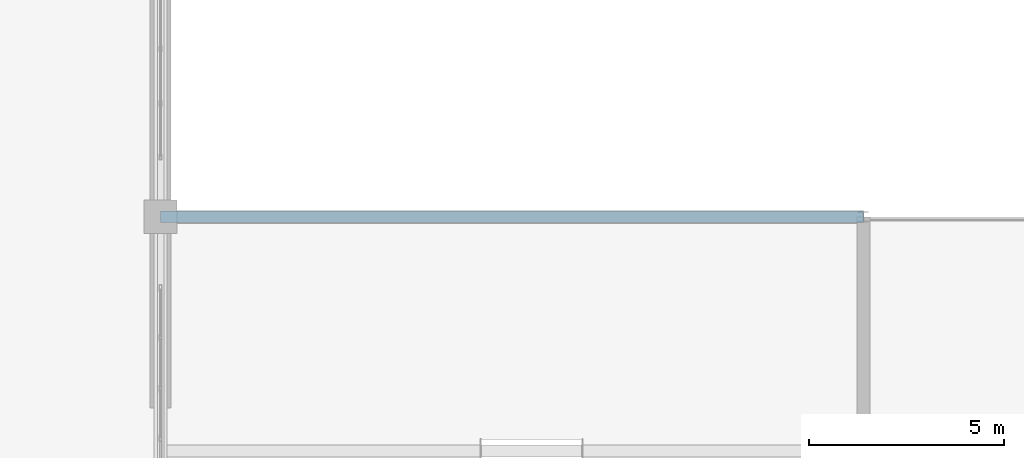
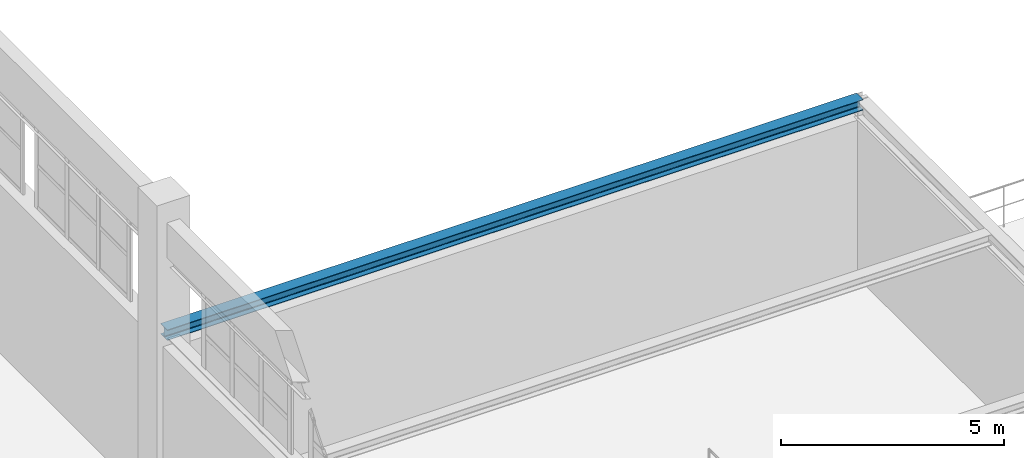
# One storey, part 58 of 97: 1 beam.
"""IFC4 building model written with IfcOpenShell, lengths in metres."""

from ifc_helpers import new_model, si_unit, derived_unit, direction, frame, origin, origin_2d, place, context, subcontext, project, spatial, i_section, extrude, material, material_profile, profile_set, type_object, element, save


model = new_model("IFC4")

# Units and contexts
model_context = context("Model", 3, precision=1e-05, world=origin(), true_north=direction((0.0, 1.0)))
body_context = subcontext(model_context, "Body", "Model", "MODEL_VIEW")
ifc_project = project(units=[si_unit("LENGTHUNIT", "METRE"), si_unit("AREAUNIT", "SQUARE_METRE"), si_unit("VOLUMEUNIT", "CUBIC_METRE"), si_unit("PLANEANGLEUNIT", "RADIAN"), si_unit("MASSUNIT", "GRAM", prefix="KILO"), derived_unit("THERMALTRANSMITTANCEUNIT", [(si_unit("POWERUNIT", "WATT"), 1), (si_unit("LENGTHUNIT", "METRE"), -2), (si_unit("THERMODYNAMICTEMPERATUREUNIT", "KELVIN"), -1)])], contexts=[model_context])

# Site, building, storey
site_placement = place(None, origin())
site = spatial("IfcSite", under=ifc_project, at=site_placement, CompositionType="ELEMENT")
building_placement = place(site_placement, origin())
building = spatial("IfcBuilding", under=site, at=building_placement, Name="Almenara Railside Exhibition Hall", CompositionType="ELEMENT")
storey_placement = place(building_placement, frame((0.0, 0.0, 10.800048828125)))
storey = spatial("IfcBuildingStorey", under=building, at=storey_placement, Name="L02", CompositionType="ELEMENT", Elevation=10.800048828125)

# Beam
ifc_material = material(Name="Structural steel S355JR", Category="steel")
ifc_material_profile = material_profile(ifc_material, i_section(OverallWidth=0.300048828125, OverallDepth=0.2900390625, WebThickness=0.008544921875, FlangeThickness=0.013916015625, FilletRadius=0.027099609375, at=origin_2d()), Name="HEA 300")
ifc_profile_set = profile_set([ifc_material_profile], Name="Structural steel S355JR")
beam_type = type_object("IfcBeamType", Name="Steel Concourse Tie Beam HEA 300 S355JR", PredefinedType="BEAM", material=ifc_profile_set)
beam_placement = place(storey_placement, frame((66.0, 108.0, 4.65087890625), z_axis=(1.0, 0.0, 0.0), x_axis=(0.0, 1.0, 0.0)))
element("IfcBeam", 1, at=beam_placement, inside=storey, type_object=beam_type, Name="Beam 0842", PredefinedType="BEAM", context=body_context, shape_type="SweptSolid", body=[
    extrude(i_section(OverallWidth=0.300048828125, OverallDepth=0.2900390625, WebThickness=0.008544921875, FlangeThickness=0.013916015625, FilletRadius=0.027099609375, at=origin_2d()), origin(), (0.0, 0.0, 1.0), 18.0),
])

save(model, "model.ifc")
